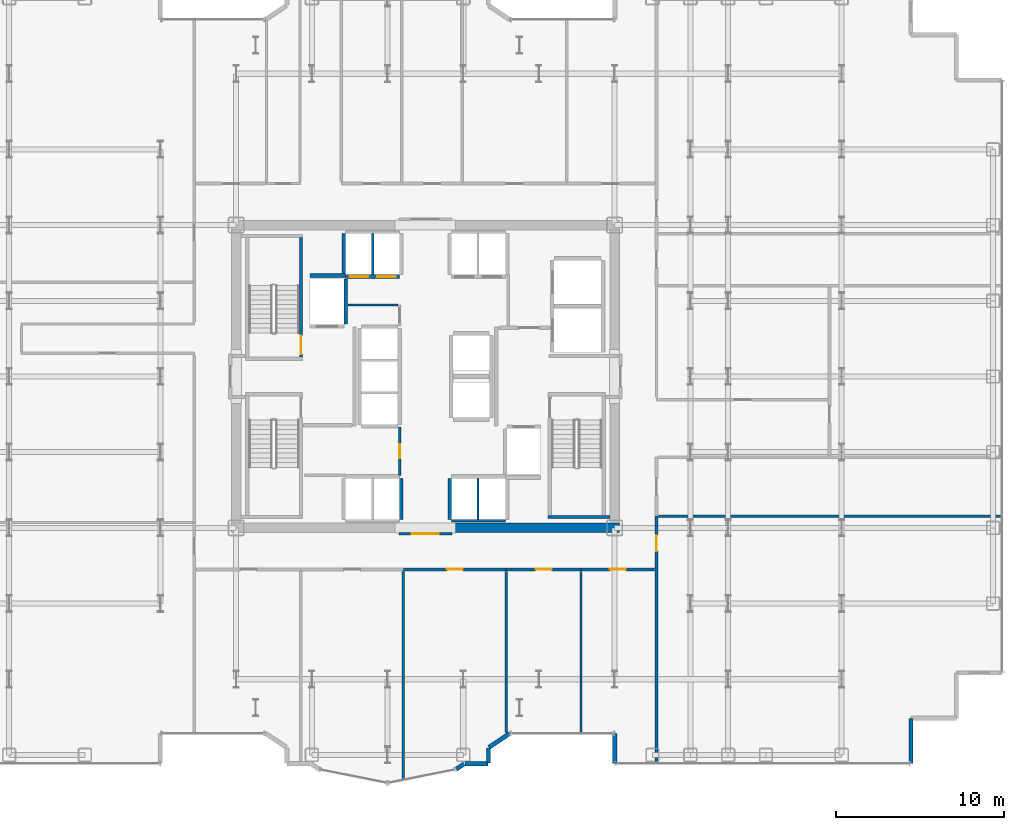
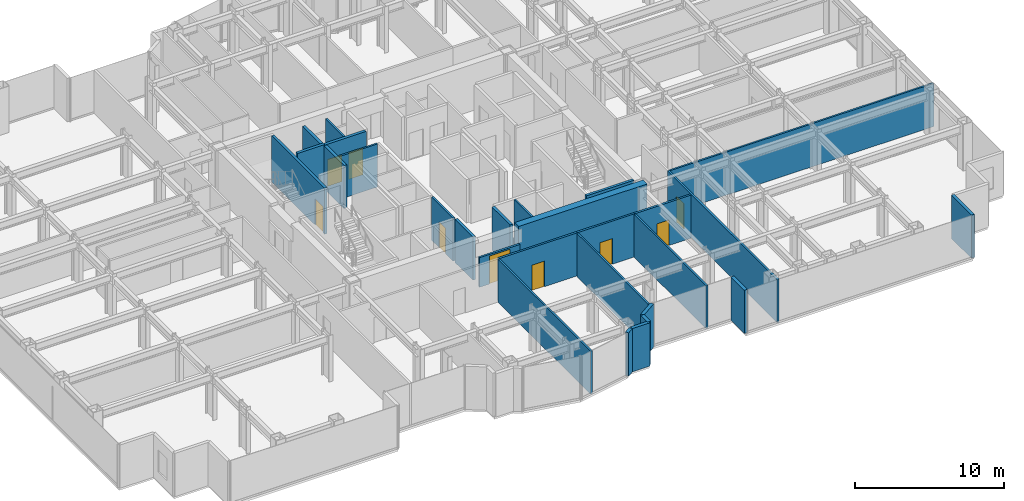
# One storey, part 21 of 26: 29 walls, 9 doors, 9 openings.
"""IFC4 building model written with IfcOpenShell, lengths in metres."""

import ifcopenshell
import ifcopenshell.guid

model = None  # the IFC model being written
_history = None  # IfcOwnerHistory: only IFC2X3 demands one
_inside = {}  # id of a spatial element -> (the spatial element, [elements in it])
_under = {}  # id of a project, library or spatial element -> (it, [spatial elements below it])
_declared = {}  # id of a project -> (the project, [libraries it declares])
_typed = {}  # id of a type object -> (the type object, [elements of that type])
_made_of = {}  # id of a material, layer set ... -> (it, [elements and type objects made of it])


def new_model(schema):
    """Start an empty IFC model of exactly this schema.

    Asked for "IFC4X3", IfcOpenShell would pick the latest addendum, in which some entities
    have other attributes; the version numbers below select the first issue.
    IFC2X3 requires an IfcOwnerHistory on every rooted entity: one is made here for all.
    """
    global model, _history
    if schema == "IFC4X3":
        model = ifcopenshell.file(schema_version=(4, 3, 0, 0))
    else:
        model = ifcopenshell.file(schema=schema)
    _inside.clear()
    _under.clear()
    _declared.clear()
    _typed.clear()
    _made_of.clear()
    _history = None
    if model.schema == "IFC2X3":
        org = make("IfcOrganization", Name="unknown")
        user = make(
            "IfcPersonAndOrganization",
            ThePerson=make("IfcPerson", FamilyName="unknown"),
            TheOrganization=org,
        )
        app = make(
            "IfcApplication",
            ApplicationDeveloper=org,
            Version="unknown",
            ApplicationFullName="unknown",
            ApplicationIdentifier="unknown",
        )
        _history = make(
            "IfcOwnerHistory",
            OwningUser=user,
            OwningApplication=app,
            ChangeAction="ADDED",
            CreationDate=0,
        )
    return model


def make(cls, **values):
    """One entity of the class cls with the attributes given. An attribute that is None is left unset."""
    return model.create_entity(
        cls, **{name: value for name, value in values.items() if value is not None}
    )


def rooted(cls, **values):
    """An entity with a GlobalId (a new one), such as an element, a storey or a relation."""
    return make(cls, GlobalId=ifcopenshell.guid.new(), OwnerHistory=_history, **values)


def si_unit(unit_type, name, prefix=None):
    """IfcSIUnit, for example si_unit("LENGTHUNIT", "METRE", prefix="MILLI")."""
    return make("IfcSIUnit", UnitType=unit_type, Prefix=prefix, Name=name)


def assignment(units):
    """IfcUnitAssignment: the units of a project."""
    return None if units is None else make("IfcUnitAssignment", Units=units)


def point(xyz):
    """IfcCartesianPoint."""
    return None if xyz is None else make("IfcCartesianPoint", Coordinates=xyz)


def direction(xyz):
    """IfcDirection."""
    return None if xyz is None else make("IfcDirection", DirectionRatios=xyz)


def frame(location, z_axis=None, x_axis=None):
    """IfcAxis2Placement3D, a coordinate frame: its origin and axes. An axis left out is left unset."""
    return make(
        "IfcAxis2Placement3D",
        Location=point(location),
        Axis=direction(z_axis),
        RefDirection=direction(x_axis),
    )


def frame_2d(location, x_axis=None):
    """IfcAxis2Placement2D, a coordinate frame in the plane: its origin and x axis."""
    return make(
        "IfcAxis2Placement2D", Location=point(location), RefDirection=direction(x_axis)
    )


def origin():
    """The frame at (0, 0, 0) with its axes left unset."""
    return frame((0.0, 0.0, 0.0))


def place(relative_to, where):
    """IfcLocalPlacement: puts the frame where relative to a parent placement (None: the world)."""
    return make(
        "IfcLocalPlacement", PlacementRelTo=relative_to, RelativePlacement=where
    )


def context(
    kind, dimensions, precision=None, world=None, true_north=None, identifier=None
):
    """IfcGeometricRepresentationContext, for example the 3D "Model" context."""
    return make(
        "IfcGeometricRepresentationContext",
        ContextIdentifier=identifier,
        ContextType=kind,
        CoordinateSpaceDimension=dimensions,
        Precision=precision,
        WorldCoordinateSystem=world,
        TrueNorth=true_north,
    )


def subcontext(parent, identifier, kind, view, scale=None):
    """IfcGeometricRepresentationSubContext, for example "Body" below "Model"."""
    return make(
        "IfcGeometricRepresentationSubContext",
        ContextIdentifier=identifier,
        ContextType=kind,
        ParentContext=parent,
        TargetScale=scale,
        TargetView=view,
    )


def project(units=None, contexts=None):
    """IfcProject with its units and contexts."""
    return rooted(
        "IfcProject",
        Name="project",
        RepresentationContexts=contexts,
        UnitsInContext=assignment(units),
    )


def spatial(cls, under=None, at=None, **own):
    """A site, building, storey or space (cls), placed at a placement, below another one or the project."""
    s = rooted(cls, ObjectPlacement=at, **own)
    if under is not None:
        _under.setdefault(under.id(), (under, []))[1].append(s)
    return s


def profile(cls, at=None, kind="AREA", **sizes):
    """A parametric profile (cls). Its sizes go by their IFC names, for example OverallWidth=200.0."""
    return make(cls, ProfileType=kind, Position=at, **sizes)


def rectangle(**sizes):
    """IfcRectangleProfileDef."""
    return profile("IfcRectangleProfileDef", **sizes)


def extrude(swept, where, along, depth):
    """IfcExtrudedAreaSolid: the profile swept, set in the frame where, extruded along a direction by depth."""
    return make(
        "IfcExtrudedAreaSolid",
        SweptArea=swept,
        Position=where,
        ExtrudedDirection=direction(along),
        Depth=depth,
    )


def shape(context_of_items, identifier, shape_type, items):
    """IfcShapeRepresentation: the items that make up one representation, for example the "Body"."""
    return make(
        "IfcShapeRepresentation",
        ContextOfItems=context_of_items,
        RepresentationIdentifier=identifier,
        RepresentationType=shape_type,
        Items=items,
    )


def source(mapping_origin, context_of_items, identifier, shape_type, items):
    """IfcRepresentationMap: a shape defined once, which mapped items show again and again."""
    return make(
        "IfcRepresentationMap",
        MappingOrigin=mapping_origin,
        MappedRepresentation=shape(context_of_items, identifier, shape_type, items),
    )


def transform(
    local_origin,
    x_axis=None,
    y_axis=None,
    z_axis=None,
    scale=None,
    scale2=None,
    scale3=None,
    uniform=True,
):
    """IfcCartesianTransformationOperator3D, or its non-uniform kind. x_axis, y_axis, z_axis: its Axis1, 2, 3."""
    if uniform:
        return make(
            "IfcCartesianTransformationOperator3D",
            Axis1=direction(x_axis),
            Axis2=direction(y_axis),
            LocalOrigin=point(local_origin),
            Scale=scale,
            Axis3=direction(z_axis),
        )
    return make(
        "IfcCartesianTransformationOperator3DnonUniform",
        Axis1=direction(x_axis),
        Axis2=direction(y_axis),
        LocalOrigin=point(local_origin),
        Scale=scale,
        Axis3=direction(z_axis),
        Scale2=scale2,
        Scale3=scale3,
    )


def mapped(mapping_source, mapping_target):
    """IfcMappedItem: shows the shape of a source again, moved by a transform."""
    return make(
        "IfcMappedItem", MappingSource=mapping_source, MappingTarget=mapping_target
    )


def material(Name=None, Category=None):
    """IfcMaterial."""
    return make("IfcMaterial", Name=Name, Category=Category)


def layer(
    of_material, thickness, ventilated=None, Name=None, Category=None, Priority=None
):
    """IfcMaterialLayer: one layer of a wall or slab, of a material (None: an air gap)."""
    return make(
        "IfcMaterialLayer",
        Material=of_material,
        LayerThickness=thickness,
        IsVentilated=ventilated,
        Name=Name,
        Category=Category,
        Priority=Priority,
    )


def layer_set(layers, Name=None):
    """IfcMaterialLayerSet."""
    return make("IfcMaterialLayerSet", MaterialLayers=layers, LayerSetName=Name)


def made_of(thing, what):
    """Note that an element or type object is made of a material, layer set ...; save() writes the relation."""
    if what is not None:
        _made_of.setdefault(what.id(), (what, []))[1].append(thing)
    return thing


def type_object(cls, material=None, **own):
    """A type object (cls), such as IfcWallType, which elements share."""
    return made_of(rooted(cls, **own), material)


def element(
    cls,
    number,
    at=None,
    inside=None,
    cuts=None,
    type_object=None,
    material=None,
    context=None,
    identifier="Body",
    shape_type=None,
    held_by="IfcProductDefinitionShape",
    body=None,
    shapes=None,
    **own,
):
    """One element of the class cls, such as IfcWall. Its Tag is "e" and its number.

    at: its placement. inside: the storey or other place that contains it. cuts: it is an
    opening in that element (IfcRelVoidsElement). A single representation is given by context,
    identifier, shape_type and body (its items); several are given by shapes. held_by: the class
    of the entity that holds the representations. save() writes the other relations.
    """
    e = rooted(cls, Tag="e%d" % number, ObjectPlacement=at, **own)
    if body is not None:
        shapes = [shape(context, identifier, shape_type, body)]
    if shapes is not None:
        e.Representation = make(held_by, Representations=shapes)
    if inside is not None:
        _inside.setdefault(inside.id(), (inside, []))[1].append(e)
    if cuts is not None:
        rooted(
            "IfcRelVoidsElement", RelatingBuildingElement=cuts, RelatedOpeningElement=e
        )
    if type_object is not None:
        _typed.setdefault(type_object.id(), (type_object, []))[1].append(e)
    return made_of(e, material)


def fill(opening, filler):
    """IfcRelFillsElement: the door or window that sits in an opening."""
    return rooted(
        "IfcRelFillsElement",
        RelatingOpeningElement=opening,
        RelatedBuildingElement=filler,
    )


def aggregate(whole, parts):
    """IfcRelAggregates: a whole, such as a stair, and the parts it consists of."""
    return rooted("IfcRelAggregates", RelatingObject=whole, RelatedObjects=parts)


def save(model, path):
    """Write the relations noted so far, then the file.

    IfcRelAggregates (storeys below a building ...), IfcRelContainedInSpatialStructure (elements
    in a storey), IfcRelDefinesByType, IfcRelAssociatesMaterial and IfcRelDeclares: one each for
    every whole, place, type object, material and project.
    """
    for whole, parts in _under.values():
        aggregate(whole, parts)
    for where, things in _inside.values():
        rooted(
            "IfcRelContainedInSpatialStructure",
            RelatedElements=things,
            RelatingStructure=where,
        )
    for kind, things in _typed.values():
        rooted("IfcRelDefinesByType", RelatedObjects=things, RelatingType=kind)
    for what, things in _made_of.values():
        rooted("IfcRelAssociatesMaterial", RelatedObjects=things, RelatingMaterial=what)
    for by, libraries in _declared.values():
        rooted("IfcRelDeclares", RelatingContext=by, RelatedDefinitions=libraries)
    model.write(path)


model = new_model("IFC4")

# Units and contexts
model_context = context("Model", 3, precision=1e-05, world=origin(), true_north=direction((0.0, 1.0)))
body_context = subcontext(model_context, "Body", "Model", "MODEL_VIEW")
ifc_project = project(units=[si_unit("LENGTHUNIT", "METRE"), si_unit("AREAUNIT", "SQUARE_METRE"), si_unit("VOLUMEUNIT", "CUBIC_METRE"), si_unit("PLANEANGLEUNIT", "RADIAN"), si_unit("MASSUNIT", "GRAM", prefix="KILO")], contexts=[model_context])

# Site, building, storey
site_placement = place(None, origin())
site = spatial("IfcSite", under=ifc_project, at=site_placement, CompositionType="ELEMENT")
building_placement = place(site_placement, origin())
building = spatial("IfcBuilding", under=site, at=building_placement, Name="Nefas-Gora Pilgrimage Tower", CompositionType="ELEMENT")
storey_placement = place(building_placement, frame((0.0, 0.0, 132.60009765625)))
storey = spatial("IfcBuildingStorey", under=building, at=storey_placement, Name="L32", CompositionType="ELEMENT", Elevation=132.60009765625)

# Walls
ifc_material_1 = material(Name="Concrete C60/75", Category="concrete")
ifc_layer_1 = layer(ifc_material_1, 0.550048828125)
ifc_layer_set_1 = layer_set([ifc_layer_1], Name="Concrete C60/75")
wall_type_1 = type_object("IfcWallType", Name="SW-CORE-550", PredefinedType="SHEAR", material=ifc_layer_set_1)
shared_shape_1 = source(origin(), body_context, "Body", "SweptSolid", [
    extrude(rectangle(XDim=9.974853515625, YDim=0.550048828125, at=frame_2d((4.9873046875, 0.0))), origin(), (0.0, 0.0, 1.0), 3.7998046875),
])
wall_1_placement = place(storey_placement, frame((1.550048828125, -9.0, 0.0), z_axis=(0.0, 0.0, 1.0), x_axis=(1.0, 0.0, 0.0)))
element("IfcWall", 1, at=wall_1_placement, inside=storey, type_object=wall_type_1, Name="L32 Core Shear Wall S-East", PredefinedType="SHEAR", context=body_context, shape_type="MappedRepresentation", body=[
    mapped(shared_shape_1, transform((0.0, 0.0, 0.0), x_axis=(1.0, 0.0, 0.0), y_axis=(0.0, 1.0, 0.0), z_axis=(0.0, 0.0, 1.0), scale=1.0)),
])
ifc_material_2 = material(Name="Precast concrete C40/50", Category="concrete")
ifc_layer_2 = layer(ifc_material_2, 0.260009765625)
ifc_layer_set_2 = layer_set([ifc_layer_2], Name="Precast concrete C40/50")
wall_type_2 = type_object("IfcWallType", Name="EW-PORTAL-260", PredefinedType="SOLIDWALL", material=ifc_layer_set_2)
shared_shape_2 = source(origin(), body_context, "Body", "SweptSolid", [
    extrude(rectangle(XDim=1.800048828125, YDim=0.260009765625, at=frame_2d((0.89990234375, 0.0))), origin(), (0.0, 0.0, 1.0), 3.5498046875),
])
wall_2_placement = place(storey_placement, frame((11.25, -21.219970703125, 0.0), z_axis=(0.0, 0.0, 1.0), x_axis=(0.0, -1.0, 0.0)))
element("IfcWall", 2, at=wall_2_placement, inside=storey, type_object=wall_type_2, Name="L32 Lobe Shoulder Precast Spandrel Pier 1", PredefinedType="SOLIDWALL", context=body_context, shape_type="MappedRepresentation", body=[
    mapped(shared_shape_2, transform((0.0, 0.0, 0.0), x_axis=(1.0, 0.0, 0.0), y_axis=(0.0, 1.0, 0.0), z_axis=(0.0, 0.0, 1.0), scale=1.0)),
])
ifc_material_3 = material(Name="Precast concrete C45/55", Category="concrete")
ifc_layer_3 = layer(ifc_material_3, 0.239990234375)
ifc_layer_set_3 = layer_set([ifc_layer_3], Name="Precast concrete C45/55")
wall_type_3 = type_object("IfcWallType", Name="EW-SERR-240", PredefinedType="SHEAR", material=ifc_layer_set_3)
shared_shape_3 = source(origin(), body_context, "Body", "SweptSolid", [
    extrude(rectangle(XDim=2.699951171875, YDim=0.239990234375, at=frame_2d((1.35009765625, 0.0))), origin(), (0.0, 0.0, 1.0), 3.5498046875),
])
wall_3_placement = place(storey_placement, frame((28.8701171875, -23.02001953125, 0.0), z_axis=(0.0, 0.0, 1.0), x_axis=(0.0, 1.0, 0.0)))
element("IfcWall", 3, at=wall_3_placement, inside=storey, type_object=wall_type_3, Name="L32 Serrated Corner Shear Pier Wall 2", PredefinedType="SHEAR", context=body_context, shape_type="MappedRepresentation", body=[
    mapped(shared_shape_3, transform((0.0, 0.0, 0.0), x_axis=(1.0, 0.0, 0.0), y_axis=(0.0, 1.0, 0.0), z_axis=(0.0, 0.0, 1.0), scale=1.0)),
])
shared_shape_4 = source(origin(), body_context, "Body", "SweptSolid", [
    extrude(rectangle(XDim=1.468994140625, YDim=0.260009765625, at=frame_2d((0.734375, 0.0))), origin(), (0.0, 0.0, 1.0), 3.5498046875),
])
wall_4_placement = place(storey_placement, frame((3.773193359375, -22.0517578125, 0.0), z_axis=(0.0, 0.0, 1.0), x_axis=(0.831461760506, 0.555581983884, 0.0)))
element("IfcWall", 4, at=wall_4_placement, inside=storey, type_object=wall_type_2, Name="L32 Lobe Shoulder Precast Spandrel Pier 36", PredefinedType="SOLIDWALL", context=body_context, shape_type="MappedRepresentation", body=[
    mapped(shared_shape_4, transform((0.0, 0.0, 0.0), x_axis=(1.0, 0.0, 0.0), y_axis=(0.0, 1.0, 0.0), z_axis=(0.0, 0.0, 1.0), scale=1.0)),
])
shared_shape_5 = source(origin(), body_context, "Body", "SweptSolid", [
    extrude(rectangle(XDim=0.896728515625, YDim=0.260009765625, at=frame_2d((0.4482421875, 0.0))), origin(), (0.0, 0.0, 1.0), 3.5498046875),
])
wall_5_placement = place(storey_placement, frame((3.75, -22.991943359375, 0.0), z_axis=(0.0, 0.0, 1.0), x_axis=(0.0, 1.0, 0.0)))
element("IfcWall", 5, at=wall_5_placement, inside=storey, type_object=wall_type_2, Name="L32 Lobe Shoulder Precast Spandrel Pier 35", PredefinedType="SOLIDWALL", context=body_context, shape_type="MappedRepresentation", body=[
    mapped(shared_shape_5, transform((0.0, 0.0, 0.0), x_axis=(1.0, 0.0, 0.0), y_axis=(0.0, 1.0, 0.0), z_axis=(0.0, 0.0, 1.0), scale=1.0)),
])
shared_shape_6 = source(origin(), body_context, "Body", "SweptSolid", [
    extrude(rectangle(XDim=1.369873046875, YDim=0.260009765625, at=frame_2d((0.68505859375, 0.0))), origin(), (0.0, 0.0, 1.0), 3.5498046875),
])
wall_6_placement = place(storey_placement, frame((2.35205078125, -23.02001953125, 0.0), z_axis=(0.0, 0.0, 1.0), x_axis=(1.0, 0.0, 0.0)))
element("IfcWall", 6, at=wall_6_placement, inside=storey, type_object=wall_type_2, Name="L32 Lobe Shoulder Precast Spandrel Pier 34", PredefinedType="SOLIDWALL", context=body_context, shape_type="MappedRepresentation", body=[
    mapped(shared_shape_6, transform((0.0, 0.0, 0.0), x_axis=(1.0, 0.0, 0.0), y_axis=(0.0, 1.0, 0.0), z_axis=(0.0, 0.0, 1.0), scale=1.0)),
])
shared_shape_7 = source(origin(), body_context, "Body", "SweptSolid", [
    extrude(rectangle(XDim=0.5654296875, YDim=0.260009765625, at=frame_2d((0.28271484375, 0.0))), origin(), (0.0, 0.0, 1.0), 3.5498046875),
])
wall_7_placement = place(storey_placement, frame((1.83056640625, -23.349609375, 0.0), z_axis=(0.0, 0.0, 1.0), x_axis=(0.831651492666, 0.555297933317, 0.0)))
element("IfcWall", 7, at=wall_7_placement, inside=storey, type_object=wall_type_2, Name="L32 Lobe Shoulder Precast Spandrel Pier 33", PredefinedType="SOLIDWALL", context=body_context, shape_type="MappedRepresentation", body=[
    mapped(shared_shape_7, transform((0.0, 0.0, 0.0), x_axis=(1.0, 0.0, 0.0), y_axis=(0.0, 1.0, 0.0), z_axis=(0.0, 0.0, 1.0), scale=1.0)),
])

# Wall, opening, door
ifc_material_4 = material(Name="Concrete C45/55", Category="concrete")
ifc_layer_4 = layer(ifc_material_4, 0.199951171875)
ifc_layer_set_4 = layer_set([ifc_layer_4], Name="Concrete C45/55")
wall_type_4 = type_object("IfcWallType", Name="IW-STAIR-200", PredefinedType="SOLIDWALL", material=ifc_layer_set_4)
shared_shape_8 = source(origin(), body_context, "Body", "SweptSolid", [
    extrude(rectangle(XDim=7.10009765625, YDim=0.199951171875, at=frame_2d((3.550048828125, 0.0))), origin(), (0.0, 0.0, 1.0), 3.7998046875),
])
wall_8_placement = place(storey_placement, frame((-7.39990234375, 1.14990234375, 0.0), z_axis=(0.0, 0.0, 1.0), x_axis=(0.0, 1.0, 0.0)))
wall_8 = element("IfcWall", 8, at=wall_8_placement, inside=storey, type_object=wall_type_4, Name="L32 Stairwell Shear Wall ST-01-left", PredefinedType="SOLIDWALL", context=body_context, shape_type="MappedRepresentation", body=[
    mapped(shared_shape_8, transform((0.0, 0.0, 0.0), x_axis=(1.0, 0.0, 0.0), y_axis=(0.0, 1.0, 0.0), z_axis=(0.0, 0.0, 1.0), scale=1.0)),
])
opening_1_placement = place(wall_8_placement, frame((0.179931640625, 0.0, 0.0)))
opening_1 = element("IfcOpeningElement", 9, at=opening_1_placement, cuts=wall_8, Name="Opening ID-ST1", PredefinedType="OPENING", context=body_context, shape_type="SweptSolid", body=[
    extrude(rectangle(XDim=1.10009765625, YDim=2.14990234375, at=frame_2d((0.550048828125, 1.074951171875))), frame((0.0, 0.10986328125, 0.0), z_axis=(0.0, -1.0, 0.0), x_axis=(1.0, 0.0, 0.0)), (0.0, 0.0, 1.0), 0.219970703125),
])
ifc_material_5 = material(Name="Painted galvanised steel fire stair door", Category="steel")
door_type_1 = type_object("IfcDoorType", Name="DR-INT-STAIR-1100", OperationType="NOTDEFINED", PredefinedType="DOOR", material=ifc_material_5)
shared_shape_9 = source(origin(), body_context, "Body", "SweptSolid", [
    extrude(rectangle(XDim=1.10009765625, YDim=2.14990234375, at=frame_2d((0.550048828125, 1.074951171875))), frame((0.0, 0.02490234375, 0.0), z_axis=(0.0, -1.0, 0.0), x_axis=(1.0, 0.0, 0.0)), (0.0, 0.0, 1.0), 0.050048828125),
])
door_1_placement = place(opening_1_placement, origin())
door_1 = element("IfcDoor", 10, at=door_1_placement, inside=storey, type_object=door_type_1, Name="L32 Protected Exit Stair Door ST-01", OperationType="SINGLE_SWING_RIGHT", OverallHeight=2.14990234375, OverallWidth=1.10009765625, PredefinedType="DOOR", context=body_context, shape_type="MappedRepresentation", body=[
    mapped(shared_shape_9, transform((0.0, 0.0, 0.0), x_axis=(1.0, 0.0, 0.0), y_axis=(0.0, 1.0, 0.0), z_axis=(0.0, 0.0, 1.0), scale=1.0)),
])
fill(opening_1, door_1)

# Walls
shared_shape_10 = source(origin(), body_context, "Body", "SweptSolid", [
    extrude(rectangle(XDim=3.679931640625, YDim=0.199951171875, at=frame_2d((1.83984375, 0.0))), origin(), (0.0, 0.0, 1.0), 3.7998046875),
])
wall_9_placement = place(storey_placement, frame((7.300048828125, -8.35009765625, 0.0), z_axis=(0.0, 0.0, 1.0), x_axis=(1.0, 0.0, 0.0)))
element("IfcWall", 11, at=wall_9_placement, inside=storey, type_object=wall_type_4, Name="L32 Stairwell Shear Wall ST-02-far", PredefinedType="SOLIDWALL", context=body_context, shape_type="MappedRepresentation", body=[
    mapped(shared_shape_10, transform((0.0, 0.0, 0.0), x_axis=(1.0, 0.0, 0.0), y_axis=(0.0, 1.0, 0.0), z_axis=(0.0, 0.0, 1.0), scale=1.0)),
])
ifc_material_6 = material(Name="Concrete C40/50", Category="concrete")
ifc_layer_5 = layer(ifc_material_6, 0.219970703125)
ifc_layer_set_5 = layer_set([ifc_layer_5], Name="Concrete C40/50")
wall_type_5 = type_object("IfcWallType", Name="IW-SHAFT-220", PredefinedType="SOLIDWALL", material=ifc_layer_set_5)
shared_shape_11 = source(origin(), body_context, "Body", "SweptSolid", [
    extrude(rectangle(XDim=2.679931640625, YDim=0.219970703125, at=frame_2d((1.33984375, 0.0))), origin(), (0.0, 0.0, 1.0), 3.534912109375),
])
wall_10_placement = place(storey_placement, frame((-4.739990234375, 3.110107421875, 0.0), z_axis=(0.0, 0.0, 1.0), x_axis=(0.0, 1.0, 0.0)))
element("IfcWall", 12, at=wall_10_placement, inside=storey, type_object=wall_type_5, Name="L32 Hoistway Wall FFL-01-E", PredefinedType="SOLIDWALL", context=body_context, shape_type="MappedRepresentation", body=[
    mapped(shared_shape_11, transform((0.0, 0.0, 0.0), x_axis=(1.0, 0.0, 0.0), y_axis=(0.0, 1.0, 0.0), z_axis=(0.0, 0.0, 1.0), scale=1.0)),
])

# Wall, openings, doors
shared_shape_12 = source(origin(), body_context, "Body", "SweptSolid", [
    extrude(rectangle(XDim=3.199951171875, YDim=0.219970703125, at=frame_2d((1.60009765625, 0.0))), origin(), (0.0, 0.0, 1.0), 3.534912109375),
])
wall_11_placement = place(storey_placement, frame((-4.75, 5.93994140625, 0.0), z_axis=(0.0, 0.0, 1.0), x_axis=(1.0, 0.0, 0.0)))
wall_11 = element("IfcWall", 13, at=wall_11_placement, inside=storey, type_object=wall_type_5, Name="L32 Hoistway Wall PL1-W-S", PredefinedType="SOLIDWALL", context=body_context, shape_type="MappedRepresentation", body=[
    mapped(shared_shape_12, transform((0.0, 0.0, 0.0), x_axis=(1.0, 0.0, 0.0), y_axis=(0.0, 1.0, 0.0), z_axis=(0.0, 0.0, 1.0), scale=1.0)),
])
opening_2_placement = place(wall_11_placement, frame((0.25, 0.0, 0.0)))
opening_2 = element("IfcOpeningElement", 14, at=opening_2_placement, cuts=wall_11, Name="Opening LD-01", PredefinedType="OPENING", context=body_context, shape_type="SweptSolid", body=[
    extrude(rectangle(XDim=1.10009765625, YDim=2.199951171875, at=frame_2d((0.550048828125, 1.10009765625))), frame((0.0, 0.119873046875, 0.0), z_axis=(0.0, -1.0, 0.0), x_axis=(1.0, 0.0, 0.0)), (0.0, 0.0, 1.0), 0.239990234375),
])
opening_3_placement = place(wall_11_placement, frame((1.875, 0.0, 0.0)))
opening_3 = element("IfcOpeningElement", 15, at=opening_3_placement, cuts=wall_11, Name="Opening LD-01", PredefinedType="OPENING", context=body_context, shape_type="SweptSolid", body=[
    extrude(rectangle(XDim=1.10009765625, YDim=2.199951171875, at=frame_2d((0.550048828125, 1.10009765625))), frame((0.0, 0.119873046875, 0.0), z_axis=(0.0, -1.0, 0.0), x_axis=(1.0, 0.0, 0.0)), (0.0, 0.0, 1.0), 0.239990234375),
])
ifc_material_7 = material(Name="Brushed stainless sliding lift landing door")
door_type_2 = type_object("IfcDoorType", Name="DR-LIFT-PASS-1100", OperationType="DOUBLE_DOOR_SLIDING", PredefinedType="DOOR", material=ifc_material_7)
shared_shape_13 = source(origin(), body_context, "Body", "SweptSolid", [
    extrude(rectangle(XDim=1.10009765625, YDim=2.199951171875, at=frame_2d((0.550048828125, 1.10009765625))), frame((0.0, 0.02490234375, 0.0), z_axis=(0.0, -1.0, 0.0), x_axis=(1.0, 0.0, 0.0)), (0.0, 0.0, 1.0), 0.050048828125),
])
door_2_placement = place(opening_2_placement, origin())
door_2 = element("IfcDoor", 16, at=door_2_placement, inside=storey, type_object=door_type_2, Name="L32 Sliding Lift Landing Door PL1-01", OperationType="DOUBLE_DOOR_SLIDING", OverallHeight=2.199951171875, OverallWidth=1.10009765625, PredefinedType="DOOR", context=body_context, shape_type="MappedRepresentation", body=[
    mapped(shared_shape_13, transform((0.0, 0.0, 0.0), x_axis=(1.0, 0.0, 0.0), y_axis=(0.0, 1.0, 0.0), z_axis=(0.0, 0.0, 1.0), scale=1.0)),
])
fill(opening_2, door_2)
door_3_placement = place(opening_3_placement, origin())
door_3 = element("IfcDoor", 17, at=door_3_placement, inside=storey, type_object=door_type_2, Name="L32 Sliding Lift Landing Door PL1-02", OperationType="DOUBLE_DOOR_SLIDING", OverallHeight=2.199951171875, OverallWidth=1.10009765625, PredefinedType="DOOR", context=body_context, shape_type="MappedRepresentation", body=[
    mapped(shared_shape_13, transform((0.0, 0.0, 0.0), x_axis=(1.0, 0.0, 0.0), y_axis=(0.0, 1.0, 0.0), z_axis=(0.0, 0.0, 1.0), scale=1.0)),
])
fill(opening_3, door_3)

# Walls
shared_shape_14 = source(origin(), body_context, "Body", "SweptSolid", [
    extrude(rectangle(XDim=2.429931640625, YDim=0.219970703125, at=frame_2d((1.21484375, 0.0))), origin(), (0.0, 0.0, 1.0), 3.534912109375),
])
for number, where, z_axis, x_axis, name in (
    (18, (-4.860107421875, 8.489990234375, 0.0), (0.0, 0.0, 1.0), (0.0, -1.0, 0.0), "L32 Hoistway Wall PL1-W-W"),
    (19, (-1.43994140625, -8.489990234375, 0.0), (0.0, 0.0, 1.0), (0.0, 1.0, 0.0), "L32 Hoistway Wall PL2-W-E"),
    (20, (1.43994140625, -6.06005859375, 0.0), (0.0, 0.0, 1.0), (0.0, -1.0, 0.0), "L32 Hoistway Wall PL2-E-W"),
):
    element("IfcWall", number, at=place(storey_placement, frame(where, z_axis=z_axis, x_axis=x_axis)), inside=storey, type_object=wall_type_5, Name=name, PredefinedType="SOLIDWALL", context=body_context, shape_type="MappedRepresentation", body=[
        mapped(shared_shape_14, transform((0.0, 0.0, 0.0), x_axis=(1.0, 0.0, 0.0), y_axis=(0.0, 1.0, 0.0), z_axis=(0.0, 0.0, 1.0), scale=1.0)),
    ])
ifc_material_8 = material(Name="Gypsum twin-stud partition")
ifc_layer_6 = layer(ifc_material_8, 0.139892578125)
ifc_layer_set_6 = layer_set([ifc_layer_6], Name="Gypsum twin-stud partition")
wall_type_6 = type_object("IfcWallType", Name="IW-UNIT-140", PredefinedType="PARTITIONING", material=ifc_layer_set_6)
shared_shape_15 = source(origin(), body_context, "Body", "SweptSolid", [
    extrude(rectangle(XDim=2.429931640625, YDim=0.139892578125, at=frame_2d((1.21484375, 0.0))), origin(), (0.0, 0.0, 1.0), 3.534912109375),
])
for number, where, z_axis, x_axis, name in (
    (21, (-3.125, 6.06005859375, 0.0), (0.0, 0.0, 1.0), (0.0, 1.0, 0.0), "L32 Hoistway Wall PL1-W-DIV"),
    (22, (3.125, -8.489990234375, 0.0), (0.0, 0.0, 1.0), (0.0, 1.0, 0.0), "L32 Hoistway Wall PL2-E-DIV"),
):
    element("IfcWall", number, at=place(storey_placement, frame(where, z_axis=z_axis, x_axis=x_axis)), inside=storey, type_object=wall_type_6, Name=name, PredefinedType="PARTITIONING", context=body_context, shape_type="MappedRepresentation", body=[
        mapped(shared_shape_15, transform((0.0, 0.0, 0.0), x_axis=(1.0, 0.0, 0.0), y_axis=(0.0, 1.0, 0.0), z_axis=(0.0, 0.0, 1.0), scale=1.0)),
    ])
ifc_material_9 = material(Name="Gypsum acoustic stud partition")
ifc_layer_7 = layer(ifc_material_9, 0.159912109375)
ifc_layer_set_7 = layer_set([ifc_layer_7], Name="Gypsum acoustic stud partition")
wall_type_7 = type_object("IfcWallType", Name="IW-CORR-160", PredefinedType="PARTITIONING", material=ifc_layer_set_7)
shared_shape_16 = source(origin(), body_context, "Body", "SweptSolid", [
    extrude(rectangle(XDim=3.199951171875, YDim=0.159912109375, at=frame_2d((1.60009765625, 0.0))), origin(), (0.0, 0.0, 1.0), 2.4248046875),
])
wall_12_placement = place(storey_placement, frame((1.550048828125, -8.580078125, 0.0), z_axis=(0.0, 0.0, 1.0), x_axis=(1.0, 0.0, 0.0)))
element("IfcWall", 23, at=wall_12_placement, inside=storey, type_object=wall_type_7, Name="L32 Hoistway Wall PL2-E-S", PredefinedType="PARTITIONING", context=body_context, shape_type="MappedRepresentation", body=[
    mapped(shared_shape_16, transform((0.0, 0.0, 0.0), x_axis=(1.0, 0.0, 0.0), y_axis=(0.0, 1.0, 0.0), z_axis=(0.0, 0.0, 1.0), scale=1.0)),
])
shared_shape_17 = source(origin(), body_context, "Body", "SweptSolid", [
    extrude(rectangle(XDim=2.09521484375, YDim=0.219970703125, at=frame_2d((1.047607421875, 0.0))), origin(), (0.0, 0.0, 1.0), 3.534912109375),
])
wall_13_placement = place(storey_placement, frame((-6.85009765625, 6.0, 0.0), z_axis=(0.0, 0.0, 1.0), x_axis=(1.0, 0.0, 0.0)))
element("IfcWall", 24, at=wall_13_placement, inside=storey, type_object=wall_type_5, Name="L32 Riser Shaft Wall 1", PredefinedType="SOLIDWALL", context=body_context, shape_type="MappedRepresentation", body=[
    mapped(shared_shape_17, transform((0.0, 0.0, 0.0), x_axis=(1.0, 0.0, 0.0), y_axis=(0.0, 1.0, 0.0), z_axis=(0.0, 0.0, 1.0), scale=1.0)),
])
shared_shape_18 = source(origin(), body_context, "Body", "SweptSolid", [
    extrude(rectangle(XDim=2.9501953125, YDim=0.139892578125, at=frame_2d((1.47509765625, 0.0))), origin(), (0.0, 0.0, 1.0), 3.534912109375),
])
wall_14_placement = place(storey_placement, frame((-4.590087890625, 4.25, 0.0), z_axis=(0.0, 0.0, 1.0), x_axis=(1.0, 0.0, 0.0)))
element("IfcWall", 25, at=wall_14_placement, inside=storey, type_object=wall_type_6, Name="L32 Housekeeping and Linen Store Partition Wall 17", PredefinedType="PARTITIONING", context=body_context, shape_type="MappedRepresentation", body=[
    mapped(shared_shape_18, transform((0.0, 0.0, 0.0), x_axis=(1.0, 0.0, 0.0), y_axis=(0.0, 1.0, 0.0), z_axis=(0.0, 0.0, 1.0), scale=1.0)),
])

# Wall, opening, door
shared_shape_19 = source(origin(), body_context, "Body", "SweptSolid", [
    extrude(rectangle(XDim=2.8798828125, YDim=0.159912109375, at=frame_2d((1.43994140625, 0.0))), origin(), (0.0, 0.0, 1.0), 3.534912109375),
])
wall_15_placement = place(storey_placement, frame((-1.52001953125, -5.889892578125, 0.0), z_axis=(0.0, 0.0, 1.0), x_axis=(0.0, 1.0, 0.0)))
wall_15 = element("IfcWall", 26, at=wall_15_placement, inside=storey, type_object=wall_type_7, Name="L32 Pilgrim Baggage and Gear Vault Wall 18", PredefinedType="PARTITIONING", context=body_context, shape_type="MappedRepresentation", body=[
    mapped(shared_shape_19, transform((0.0, 0.0, 0.0), x_axis=(1.0, 0.0, 0.0), y_axis=(0.0, 1.0, 0.0), z_axis=(0.0, 0.0, 1.0), scale=1.0)),
])
opening_4_placement = place(wall_15_placement, frame((1.014892578125, 0.0, 0.0)))
opening_4 = element("IfcOpeningElement", 27, at=opening_4_placement, cuts=wall_15, Name="Opening ID-BT1", PredefinedType="OPENING", context=body_context, shape_type="SweptSolid", body=[
    extrude(rectangle(XDim=0.85009765625, YDim=2.10009765625, at=frame_2d((0.425048828125, 1.050048828125))), frame((0.0, 0.08984375, 0.0), z_axis=(0.0, -1.0, 0.0), x_axis=(1.0, 0.0, 0.0)), (0.0, 0.0, 1.0), 0.179931640625),
])
ifc_material_10 = material(Name="Moisture-resistant fire-rated timber door", Category="wood")
door_type_3 = type_object("IfcDoorType", Name="DR-INT-BATH-850", OperationType="NOTDEFINED", PredefinedType="DOOR", material=ifc_material_10)
shared_shape_20 = source(origin(), body_context, "Body", "SweptSolid", [
    extrude(rectangle(XDim=0.85009765625, YDim=2.10009765625, at=frame_2d((0.425048828125, 1.050048828125))), frame((0.0, 0.02490234375, 0.0), z_axis=(0.0, -1.0, 0.0), x_axis=(1.0, 0.0, 0.0)), (0.0, 0.0, 1.0), 0.050048828125),
])
door_4_placement = place(opening_4_placement, origin())
door_4 = element("IfcDoor", 28, at=door_4_placement, inside=storey, type_object=door_type_3, Name="L32 Pilgrim Baggage and Gear Vault Door 7", OperationType="SINGLE_SWING_RIGHT", OverallHeight=2.10009765625, OverallWidth=0.85009765625, PredefinedType="DOOR", context=body_context, shape_type="MappedRepresentation", body=[
    mapped(shared_shape_20, transform((0.0, 0.0, 0.0), x_axis=(1.0, 0.0, 0.0), y_axis=(0.0, 1.0, 0.0), z_axis=(0.0, 0.0, 1.0), scale=1.0)),
])
fill(opening_4, door_4)

# Walls
shared_shape_21 = source(origin(), body_context, "Body", "SweptSolid", [
    extrude(rectangle(XDim=12.415771484375, YDim=0.139892578125, at=frame_2d((6.2080078125, 0.0))), origin(), (0.0, 0.0, 1.0), 3.534912109375),
])
wall_16_placement = place(storey_placement, frame((-1.31005859375, -24.005859375, 0.0), z_axis=(0.0, 0.0, 1.0), x_axis=(0.0, 1.0, 0.0)))
element("IfcWall", 29, at=wall_16_placement, inside=storey, type_object=wall_type_6, Name="L32 Pilgrim Contemplative Lounge Partition Wall 55", PredefinedType="PARTITIONING", context=body_context, shape_type="MappedRepresentation", body=[
    mapped(shared_shape_21, transform((0.0, 0.0, 0.0), x_axis=(1.0, 0.0, 0.0), y_axis=(0.0, 1.0, 0.0), z_axis=(0.0, 0.0, 1.0), scale=1.0)),
])
shared_shape_22 = source(origin(), body_context, "Body", "SweptSolid", [
    extrude(rectangle(XDim=9.64990234375, YDim=0.139892578125, at=frame_2d((4.824951171875, 0.0))), origin(), (0.0, 0.0, 1.0), 3.534912109375),
])
wall_17_placement = place(storey_placement, frame((9.25, -21.239990234375, 0.0), z_axis=(0.0, 0.0, 1.0), x_axis=(0.0, 1.0, 0.0)))
element("IfcWall", 30, at=wall_17_placement, inside=storey, type_object=wall_type_6, Name="L32 Pilgrim Contemplative Lounge Partition Wall 59", PredefinedType="PARTITIONING", context=body_context, shape_type="MappedRepresentation", body=[
    mapped(shared_shape_22, transform((0.0, 0.0, 0.0), x_axis=(1.0, 0.0, 0.0), y_axis=(0.0, 1.0, 0.0), z_axis=(0.0, 0.0, 1.0), scale=1.0)),
])
shared_shape_23 = source(origin(), body_context, "Body", "SweptSolid", [
    extrude(rectangle(XDim=20.429931640625, YDim=0.139892578125, at=frame_2d((10.21484375, 0.0))), origin(), (0.0, 0.0, 1.0), 3.534912109375),
])
wall_18_placement = place(storey_placement, frame((13.860107421875, -8.304931640625, 0.0), z_axis=(0.0, 0.0, 1.0), x_axis=(1.0, 0.0, 0.0)))
element("IfcWall", 31, at=wall_18_placement, inside=storey, type_object=wall_type_6, Name="L32 Pilgrim Tea and Beverage Pantry Partition Wall 33", PredefinedType="PARTITIONING", context=body_context, shape_type="MappedRepresentation", body=[
    mapped(shared_shape_23, transform((0.0, 0.0, 0.0), x_axis=(1.0, 0.0, 0.0), y_axis=(0.0, 1.0, 0.0), z_axis=(0.0, 0.0, 1.0), scale=1.0)),
])

# Wall, opening, door
shared_shape_24 = source(origin(), body_context, "Body", "SweptSolid", [
    extrude(rectangle(XDim=3.16015625, YDim=0.159912109375, at=frame_2d((1.580078125, 0.0))), origin(), (0.0, 0.0, 1.0), 2.4248046875),
])
wall_19_placement = place(storey_placement, frame((-1.580078125, -9.35009765625, 0.0), z_axis=(0.0, 0.0, 1.0), x_axis=(1.0, 0.0, 0.0)))
wall_19 = element("IfcWall", 32, at=wall_19_placement, inside=storey, type_object=wall_type_7, Name="L32 Central Lift Lobby South Portal Wall 14", PredefinedType="PARTITIONING", context=body_context, shape_type="MappedRepresentation", body=[
    mapped(shared_shape_24, transform((0.0, 0.0, 0.0), x_axis=(1.0, 0.0, 0.0), y_axis=(0.0, 1.0, 0.0), z_axis=(0.0, 0.0, 1.0), scale=1.0)),
])
opening_5_placement = place(wall_19_placement, frame((0.780029296875, 0.0, 0.0)))
opening_5 = element("IfcOpeningElement", 33, at=opening_5_placement, cuts=wall_19, Name="Opening ID-HL1", PredefinedType="OPENING", context=body_context, shape_type="SweptSolid", body=[
    extrude(rectangle(XDim=1.60009765625, YDim=2.300048828125, at=frame_2d((0.800048828125, 1.14990234375))), frame((0.0, 0.08984375, 0.0), z_axis=(0.0, -1.0, 0.0), x_axis=(1.0, 0.0, 0.0)), (0.0, 0.0, 1.0), 0.179931640625),
])
ifc_material_11 = material(Name="Double acoustic timber assembly hall door", Category="wood")
door_type_4 = type_object("IfcDoorType", Name="DR-INT-HALL-1600", OperationType="DOUBLE_DOOR_SINGLE_SWING", PredefinedType="DOOR", material=ifc_material_11)
shared_shape_25 = source(origin(), body_context, "Body", "SweptSolid", [
    extrude(rectangle(XDim=1.60009765625, YDim=2.300048828125, at=frame_2d((0.800048828125, 1.14990234375))), frame((0.0, 0.02490234375, 0.0), z_axis=(0.0, -1.0, 0.0), x_axis=(1.0, 0.0, 0.0)), (0.0, 0.0, 1.0), 0.050048828125),
])
door_5_placement = place(opening_5_placement, origin())
door_5 = element("IfcDoor", 34, at=door_5_placement, inside=storey, type_object=door_type_4, Name="L32 Central Lift Lobby South Portal Door 5", OperationType="DOUBLE_DOOR_SINGLE_SWING", OverallHeight=2.300048828125, OverallWidth=1.60009765625, PredefinedType="DOOR", context=body_context, shape_type="MappedRepresentation", body=[
    mapped(shared_shape_25, transform((0.0, 0.0, 0.0), x_axis=(1.0, 0.0, 0.0), y_axis=(0.0, 1.0, 0.0), z_axis=(0.0, 0.0, 1.0), scale=1.0)),
])
fill(opening_5, door_5)

shared_shape_26 = source(origin(), body_context, "Body", "SweptSolid", [
    extrude(rectangle(XDim=14.7451171875, YDim=0.159912109375, at=frame_2d((7.37255859375, 0.0))), origin(), (0.0, 0.0, 1.0), 3.534912109375),
])
wall_20_placement = place(storey_placement, frame((13.739990234375, -23.0400390625, 0.0), z_axis=(0.0, 0.0, 1.0), x_axis=(0.0, 1.0, 0.0)))
wall_20 = element("IfcWall", 35, at=wall_20_placement, inside=storey, type_object=wall_type_7, Name="L32 Pilgrim Tea and Beverage Pantry Partition Wall 32", PredefinedType="PARTITIONING", context=body_context, shape_type="MappedRepresentation", body=[
    mapped(shared_shape_26, transform((0.0, 0.0, 0.0), x_axis=(1.0, 0.0, 0.0), y_axis=(0.0, 1.0, 0.0), z_axis=(0.0, 0.0, 1.0), scale=1.0)),
])
opening_6_placement = place(wall_20_placement, frame((12.66259765625, 0.0, 0.0)))
opening_6 = element("IfcOpeningElement", 36, at=opening_6_placement, cuts=wall_20, Name="Opening ID-GR1", PredefinedType="OPENING", context=body_context, shape_type="SweptSolid", body=[
    extrude(rectangle(XDim=0.949951171875, YDim=2.10009765625, at=frame_2d((0.47509765625, 1.050048828125))), frame((0.0, 0.08984375, 0.0), z_axis=(0.0, -1.0, 0.0), x_axis=(1.0, 0.0, 0.0)), (0.0, 0.0, 1.0), 0.179931640625),
])
ifc_material_12 = material(Name="Solid core oak fire-rated guest entrance door")
door_type_5 = type_object("IfcDoorType", Name="DR-INT-GUEST-950", OperationType="NOTDEFINED", PredefinedType="DOOR", material=ifc_material_12)
shared_shape_27 = source(origin(), body_context, "Body", "SweptSolid", [
    extrude(rectangle(XDim=0.949951171875, YDim=2.10009765625, at=frame_2d((0.47509765625, 1.050048828125))), frame((0.0, 0.02490234375, 0.0), z_axis=(0.0, -1.0, 0.0), x_axis=(1.0, 0.0, 0.0)), (0.0, 0.0, 1.0), 0.050048828125),
])
door_6_placement = place(opening_6_placement, origin())
door_6 = element("IfcDoor", 37, at=door_6_placement, inside=storey, type_object=door_type_5, Name="L32 Pilgrim Tea and Beverage Pantry Door 12", OperationType="SINGLE_SWING_LEFT", OverallHeight=2.10009765625, OverallWidth=0.949951171875, PredefinedType="DOOR", context=body_context, shape_type="MappedRepresentation", body=[
    mapped(shared_shape_27, transform((0.0, 0.0, 0.0), x_axis=(1.0, 0.0, 0.0), y_axis=(0.0, 1.0, 0.0), z_axis=(0.0, 0.0, 1.0), scale=1.0)),
])
fill(opening_6, door_6)

shared_shape_28 = source(origin(), body_context, "Body", "SweptSolid", [
    extrude(rectangle(XDim=6.10498046875, YDim=0.159912109375, at=frame_2d((3.052490234375, 0.0))), origin(), (0.0, 0.0, 1.0), 3.534912109375),
])
wall_21_placement = place(storey_placement, frame((-1.300048828125, -11.469970703125, 0.0), z_axis=(0.0, 0.0, 1.0), x_axis=(1.0, 0.0, 0.0)))
wall_21 = element("IfcWall", 38, at=wall_21_placement, inside=storey, type_object=wall_type_7, Name="L32 Pilgrim Contemplative Lounge Partition Wall 56", PredefinedType="PARTITIONING", context=body_context, shape_type="MappedRepresentation", body=[
    mapped(shared_shape_28, transform((0.0, 0.0, 0.0), x_axis=(1.0, 0.0, 0.0), y_axis=(0.0, 1.0, 0.0), z_axis=(0.0, 0.0, 1.0), scale=1.0)),
])
opening_7_placement = place(wall_21_placement, frame((2.577392578125, 0.0, 0.0)))
opening_7 = element("IfcOpeningElement", 39, at=opening_7_placement, cuts=wall_21, Name="Opening ID-GR1", PredefinedType="OPENING", context=body_context, shape_type="SweptSolid", body=[
    extrude(rectangle(XDim=0.949951171875, YDim=2.10009765625, at=frame_2d((0.47509765625, 1.050048828125))), frame((0.0, 0.08984375, 0.0), z_axis=(0.0, -1.0, 0.0), x_axis=(1.0, 0.0, 0.0)), (0.0, 0.0, 1.0), 0.179931640625),
])
door_7_placement = place(opening_7_placement, origin())
door_7 = element("IfcDoor", 40, at=door_7_placement, inside=storey, type_object=door_type_5, Name="L32 Pilgrim Contemplative Lounge Door 25", OperationType="SINGLE_SWING_RIGHT", OverallHeight=2.10009765625, OverallWidth=0.949951171875, PredefinedType="DOOR", context=body_context, shape_type="MappedRepresentation", body=[
    mapped(shared_shape_27, transform((0.0, 0.0, 0.0), x_axis=(1.0, 0.0, 0.0), y_axis=(0.0, 1.0, 0.0), z_axis=(0.0, 0.0, 1.0), scale=1.0)),
])
fill(opening_7, door_7)

# Wall
shared_shape_29 = source(origin(), body_context, "Body", "SweptSolid", [
    extrude(rectangle(XDim=9.576904296875, YDim=0.139892578125, at=frame_2d((4.78857421875, 0.0))), origin(), (0.0, 0.0, 1.0), 3.534912109375),
])
wall_22_placement = place(storey_placement, frame((4.794921875, -21.1669921875, 0.0), z_axis=(0.0, 0.0, 1.0), x_axis=(0.0, 1.0, 0.0)))
element("IfcWall", 41, at=wall_22_placement, inside=storey, type_object=wall_type_6, Name="L32 Pilgrim Contemplative Lounge Partition Wall 57", PredefinedType="PARTITIONING", context=body_context, shape_type="MappedRepresentation", body=[
    mapped(shared_shape_29, transform((0.0, 0.0, 0.0), x_axis=(1.0, 0.0, 0.0), y_axis=(0.0, 1.0, 0.0), z_axis=(0.0, 0.0, 1.0), scale=1.0)),
])

# Wall, opening, door
shared_shape_30 = source(origin(), body_context, "Body", "SweptSolid", [
    extrude(rectangle(XDim=4.465087890625, YDim=0.159912109375, at=frame_2d((2.232421875, 0.0))), origin(), (0.0, 0.0, 1.0), 3.534912109375),
])
wall_23_placement = place(storey_placement, frame((4.794921875, -11.469970703125, 0.0), z_axis=(0.0, 0.0, 1.0), x_axis=(1.0, 0.0, 0.0)))
wall_23 = element("IfcWall", 42, at=wall_23_placement, inside=storey, type_object=wall_type_7, Name="L32 Pilgrim Contemplative Lounge Partition Wall 58", PredefinedType="PARTITIONING", context=body_context, shape_type="MappedRepresentation", body=[
    mapped(shared_shape_30, transform((0.0, 0.0, 0.0), x_axis=(1.0, 0.0, 0.0), y_axis=(0.0, 1.0, 0.0), z_axis=(0.0, 0.0, 1.0), scale=1.0)),
])
opening_8_placement = place(wall_23_placement, frame((1.757568359375, 0.0, 0.0)))
opening_8 = element("IfcOpeningElement", 43, at=opening_8_placement, cuts=wall_23, Name="Opening ID-GR1", PredefinedType="OPENING", context=body_context, shape_type="SweptSolid", body=[
    extrude(rectangle(XDim=0.949951171875, YDim=2.10009765625, at=frame_2d((0.47509765625, 1.050048828125))), frame((0.0, 0.08984375, 0.0), z_axis=(0.0, -1.0, 0.0), x_axis=(1.0, 0.0, 0.0)), (0.0, 0.0, 1.0), 0.179931640625),
])
door_8_placement = place(opening_8_placement, origin())
door_8 = element("IfcDoor", 44, at=door_8_placement, inside=storey, type_object=door_type_5, Name="L32 Pilgrim Contemplative Lounge Door 26", OperationType="SINGLE_SWING_LEFT", OverallHeight=2.10009765625, OverallWidth=0.949951171875, PredefinedType="DOOR", context=body_context, shape_type="MappedRepresentation", body=[
    mapped(shared_shape_27, transform((0.0, 0.0, 0.0), x_axis=(1.0, 0.0, 0.0), y_axis=(0.0, 1.0, 0.0), z_axis=(0.0, 0.0, 1.0), scale=1.0)),
])
fill(opening_8, door_8)

shared_shape_31 = source(origin(), body_context, "Body", "SweptSolid", [
    extrude(rectangle(XDim=4.360107421875, YDim=0.159912109375, at=frame_2d((2.18017578125, 0.0))), origin(), (0.0, 0.0, 1.0), 3.534912109375),
])
wall_24_placement = place(storey_placement, frame((9.260009765625, -11.469970703125, 0.0), z_axis=(0.0, 0.0, 1.0), x_axis=(1.0, 0.0, 0.0)))
wall_24 = element("IfcWall", 45, at=wall_24_placement, inside=storey, type_object=wall_type_7, Name="L32 Pilgrim Contemplative Lounge Partition Wall 60", PredefinedType="PARTITIONING", context=body_context, shape_type="MappedRepresentation", body=[
    mapped(shared_shape_31, transform((0.0, 0.0, 0.0), x_axis=(1.0, 0.0, 0.0), y_axis=(0.0, 1.0, 0.0), z_axis=(0.0, 0.0, 1.0), scale=1.0)),
])
opening_9_placement = place(wall_24_placement, frame((1.705078125, 0.0, 0.0)))
opening_9 = element("IfcOpeningElement", 46, at=opening_9_placement, cuts=wall_24, Name="Opening ID-GR1", PredefinedType="OPENING", context=body_context, shape_type="SweptSolid", body=[
    extrude(rectangle(XDim=0.949951171875, YDim=2.10009765625, at=frame_2d((0.47509765625, 1.050048828125))), frame((0.0, 0.08984375, 0.0), z_axis=(0.0, -1.0, 0.0), x_axis=(1.0, 0.0, 0.0)), (0.0, 0.0, 1.0), 0.179931640625),
])
door_9_placement = place(opening_9_placement, origin())
door_9 = element("IfcDoor", 47, at=door_9_placement, inside=storey, type_object=door_type_5, Name="L32 Pilgrim Contemplative Lounge Door 27", OperationType="SINGLE_SWING_RIGHT", OverallHeight=2.10009765625, OverallWidth=0.949951171875, PredefinedType="DOOR", context=body_context, shape_type="MappedRepresentation", body=[
    mapped(shared_shape_27, transform((0.0, 0.0, 0.0), x_axis=(1.0, 0.0, 0.0), y_axis=(0.0, 1.0, 0.0), z_axis=(0.0, 0.0, 1.0), scale=1.0)),
])
fill(opening_9, door_9)

save(model, "model.ifc")
